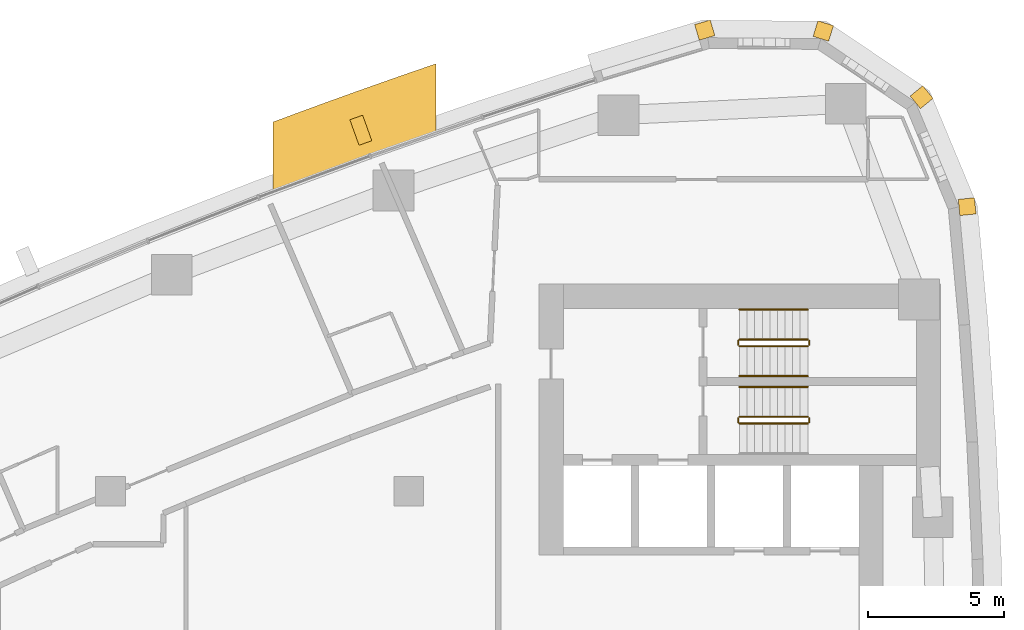
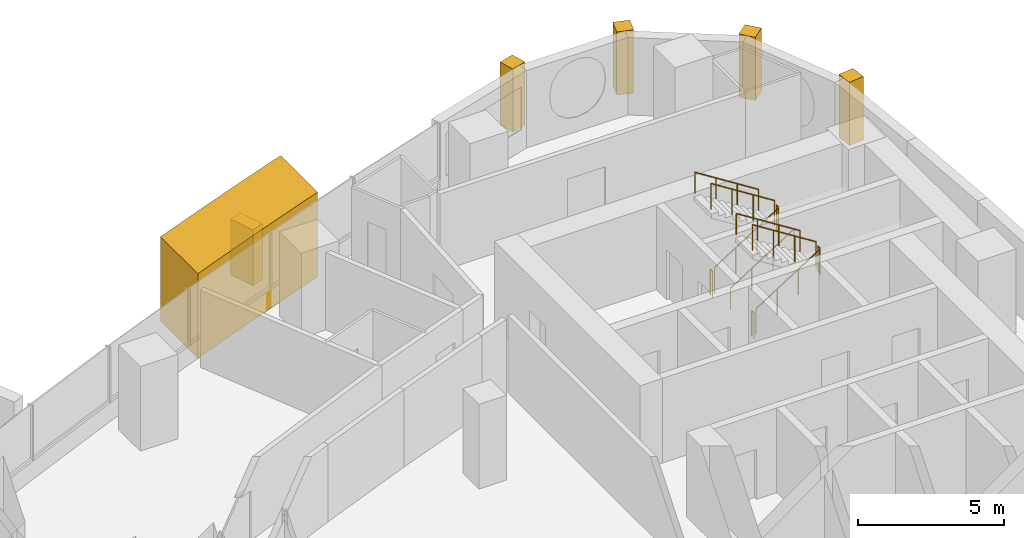
# One storey, part 16 of 16: 11 railings, 6 coverings.
"""IFC4 building model written with IfcOpenShell, lengths in metres."""

from ifc_helpers import new_model, si_unit, direction, frame, frame_2d, origin, origin_2d, place, context, subcontext, project, spatial, polyline, rectangle, circle, outline, extrude, material, layer, layer_set, type_object, element, save


model = new_model("IFC4")

# Units and contexts
model_context = context("Model", 3, precision=1e-05, world=origin(), true_north=direction((0.0, 1.0)))
body_context = subcontext(model_context, "Body", "Model", "MODEL_VIEW")
ifc_project = project(units=[si_unit("LENGTHUNIT", "METRE"), si_unit("AREAUNIT", "SQUARE_METRE"), si_unit("VOLUMEUNIT", "CUBIC_METRE"), si_unit("PLANEANGLEUNIT", "RADIAN"), si_unit("MASSUNIT", "GRAM", prefix="KILO")], contexts=[model_context])

# Site, building, storey
site_placement = place(None, origin())
site = spatial("IfcSite", under=ifc_project, at=site_placement, CompositionType="ELEMENT")
building_placement = place(site_placement, origin())
building = spatial("IfcBuilding", under=site, at=building_placement, Name="Ostrand Prow Hotel Tower", CompositionType="ELEMENT")
storey_placement = place(building_placement, frame((0.0, 0.0, 147.949951171875)))
storey = spatial("IfcBuildingStorey", under=building, at=storey_placement, Name="L36", CompositionType="ELEMENT", Elevation=147.949951171875)

# Coverings
ifc_material_1 = material(Name="Limestone cladding", Category="masonry")
ifc_layer_1 = layer(ifc_material_1, 5.0)
ifc_layer_set_1 = layer_set([ifc_layer_1], Name="Limestone cladding")
covering_type_1 = type_object("IfcCoveringType", Name="Portal jamb pilaster limestone", PredefinedType="CLADDING", material=ifc_layer_set_1)
covering_1_placement = place(storey_placement, origin())
element("IfcCovering", 1, at=covering_1_placement, inside=storey, type_object=covering_type_1, Name="Portal jamb NB L36", PredefinedType="CLADDING", context=body_context, shape_type="SweptSolid", body=[
    extrude(outline(polyline([(40.0, 20.058349609375), (41.0, 20.434326171875), (42.0, 20.804931640625), (43.0, 21.169921875), (44.0, 21.529296875), (45.0, 21.883056640625), (46.0, 22.231689453125), (46.0, 24.769287109375), (45.0, 24.425048828125), (44.0, 24.075439453125), (43.0, 23.720458984375), (42.0, 23.360107421875), (41.0, 22.994140625), (40.0, 22.622802734375), (40.0, 20.058349609375)])), origin(), (0.0, 0.0, 1.0), 3.550048828125),
])
ifc_material_2 = material(Name="Limestone cladding", Category="masonry")
ifc_layer_2 = layer(ifc_material_2, 0.5)
ifc_layer_set_2 = layer_set([ifc_layer_2], Name="Limestone cladding")
covering_type_2 = type_object("IfcCoveringType", Name="Precast stone fin 500x900", PredefinedType="CLADDING", material=ifc_layer_set_2)
covering_2_placement = place(storey_placement, frame((43.402099609375, 21.84619140625, 0.900146484375), z_axis=(0.0, 0.0, 1.0), x_axis=(-0.3378203991, 0.941210591713, 0.0)))
element("IfcCovering", 2, at=covering_2_placement, inside=storey, type_object=covering_type_2, Name="Stone fin N 3", PredefinedType="CLADDING", context=body_context, shape_type="SweptSolid", body=[
    extrude(rectangle(XDim=1.000244140625, YDim=0.5, at=frame_2d((0.5, 0.0))), origin(), (0.0, 0.0, 1.0), 2.349853515625),
])
ifc_material_3 = material(Name="Limestone cladding", Category="masonry")
ifc_layer_3 = layer(ifc_material_3, 0.60009765625)
ifc_layer_set_3 = layer_set([ifc_layer_3], Name="Limestone cladding")
covering_type_3 = type_object("IfcCoveringType", Name="Precast stone prow rib 600x600", PredefinedType="CLADDING", material=ifc_layer_set_3)
covering_3_placement = place(storey_placement, frame((65.296875, 19.467529296875, 0.60009765625), z_axis=(0.0, 0.0, 1.0), x_axis=(0.994854249607, 0.101316445052, 0.0)))
element("IfcCovering", 3, at=covering_3_placement, inside=storey, type_object=covering_type_3, Name="Stone corner rib 14a", PredefinedType="CLADDING", context=body_context, shape_type="SweptSolid", body=[
    extrude(rectangle(XDim=0.60009765625, YDim=0.60009765625, at=frame_2d((0.300048828125, 0.0))), origin(), (0.0, 0.0, 1.0), 2.64990234375),
])
for number, where, z_axis, x_axis, name in (
    (4, (63.68505859375, 23.34521484375, 0.60009765625), (0.0, 0.0, 1.0), (0.773830327772, 0.633392945825, 0.0), "Stone corner rib 15a"),
    (5, (60.201171875, 25.689697265625, 0.60009765625), (0.0, 0.0, 1.0), (0.295515682615, 0.955337888565, 0.0), "Stone corner rib 16a"),
):
    element("IfcCovering", number, at=place(storey_placement, frame(where, z_axis=z_axis, x_axis=x_axis)), inside=storey, type_object=covering_type_3, Name=name, PredefinedType="CLADDING", context=body_context, shape_type="SweptSolid", body=[
        extrude(rectangle(XDim=0.599853515625, YDim=0.60009765625, at=frame_2d((0.2998046875, 0.0))), origin(), (0.0, 0.0, 1.0), 2.64990234375),
    ])
covering_4_placement = place(storey_placement, frame((56.001953125, 25.722412109375, 0.60009765625), z_axis=(0.0, 0.0, 1.0), x_axis=(-0.280734221166, 0.959785547436, 0.0)))
element("IfcCovering", 6, at=covering_4_placement, inside=storey, type_object=covering_type_3, Name="Stone corner rib 16b", PredefinedType="CLADDING", context=body_context, shape_type="SweptSolid", body=[
    extrude(rectangle(XDim=0.60009765625, YDim=0.60009765625, at=frame_2d((0.300048828125, 0.0))), origin(), (0.0, 0.0, 1.0), 2.64990234375),
])

# Railings
ifc_material_4 = material(Name="Painted steel", Category="steel")
railing_type_1 = type_object("IfcRailingType", Name="Stair guard 1100", PredefinedType="GUARDRAIL", material=ifc_material_4)
railing_1_placement = place(storey_placement, frame((57.199951171875, 11.5, 0.177490234375)))
element("IfcRailing", 7, at=railing_1_placement, inside=storey, type_object=railing_type_1, Name="L36 ST1C stair guard 1", PredefinedType="GUARDRAIL", context=body_context, shape_type="SweptSolid", body=[
    extrude(circle(Radius=0.02392578125, at=origin_2d()), frame((0.0, 0.0, 1.076171875), z_axis=(0.84456994832, 0.0, 0.535445237532), x_axis=(0.0, 1.0, 0.0)), (0.0, 0.0, 1.0), 2.98388671875),
    extrude(circle(Radius=0.02099609375, at=origin_2d()), origin(), (0.0, 0.0, 1.0), 1.052001953125),
    extrude(circle(Radius=0.02099609375, at=origin_2d()), frame((0.840087890625, 0.0, 0.532470703125)), (0.0, 0.0, 1.0), 1.052001953125),
    extrude(circle(Radius=0.02099609375, at=origin_2d()), frame((1.679931640625, 0.0, 1.065185546875)), (0.0, 0.0, 1.0), 1.052001953125),
    extrude(circle(Radius=0.02099609375, at=origin_2d()), frame((2.52001953125, 0.0, 1.59765625)), (0.0, 0.0, 1.0), 1.052001953125),
])
railing_2_placement = place(storey_placement, frame((59.77001953125, 11.550048828125, 1.775146484375)))
element("IfcRailing", 8, at=railing_2_placement, inside=storey, type_object=railing_type_1, Name="L36 ST1C stair guard 2", PredefinedType="GUARDRAIL", context=body_context, shape_type="SweptSolid", body=[
    extrude(circle(Radius=0.02392578125, at=origin_2d()), frame((0.0, 0.0, 1.076171875), z_axis=(0.0, 1.0, 0.0), x_axis=(-1.0, 0.0, 0.0)), (0.0, 0.0, 1.0), 0.14990234375),
    extrude(circle(Radius=0.02099609375, at=origin_2d()), origin(), (0.0, 0.0, 1.0), 1.052001953125),
    extrude(circle(Radius=0.02099609375, at=origin_2d()), frame((0.0, 0.14990234375, 0.0)), (0.0, 0.0, 1.0), 1.052001953125),
])
railing_3_placement = place(storey_placement, frame((59.719970703125, 11.75, 1.95263671875)))
element("IfcRailing", 9, at=railing_3_placement, inside=storey, type_object=railing_type_1, Name="L36 ST1C stair guard 3", PredefinedType="GUARDRAIL", context=body_context, shape_type="SweptSolid", body=[
    extrude(circle(Radius=0.02392578125, at=origin_2d()), frame((0.0, 0.0, 1.076171875), z_axis=(-0.84460694969, 0.0, 0.535386869969), x_axis=(0.0, -1.0, 0.0)), (0.0, 0.0, 1.0), 2.983642578125),
    extrude(circle(Radius=0.02099609375, at=origin_2d()), origin(), (0.0, 0.0, 1.0), 1.052001953125),
    extrude(circle(Radius=0.02099609375, at=origin_2d()), frame((-0.840087890625, 0.0, 0.532470703125)), (0.0, 0.0, 1.0), 1.052001953125),
    extrude(circle(Radius=0.02099609375, at=origin_2d()), frame((-1.679931640625, 0.0, 1.06494140625)), (0.0, 0.0, 1.0), 1.052001953125),
    extrude(circle(Radius=0.02099609375, at=origin_2d()), frame((-2.52001953125, 0.0, 1.597412109375)), (0.0, 0.0, 1.0), 1.052001953125),
])
railing_4_placement = place(storey_placement, frame((57.14990234375, 11.550048828125, 0.0)))
element("IfcRailing", 10, at=railing_4_placement, inside=storey, type_object=railing_type_1, Name="L36 ST1C stair guard 4", PredefinedType="GUARDRAIL", context=body_context, shape_type="SweptSolid", body=[
    extrude(circle(Radius=0.02392578125, at=origin_2d()), frame((0.0, 0.0, 1.076171875), z_axis=(0.0, 1.0, 0.0), x_axis=(-1.0, 0.0, 0.0)), (0.0, 0.0, 1.0), 0.14990234375),
    extrude(circle(Radius=0.02099609375, at=origin_2d()), origin(), (0.0, 0.0, 1.0), 1.052001953125),
    extrude(circle(Radius=0.02099609375, at=origin_2d()), frame((0.0, 0.14990234375, 0.0)), (0.0, 0.0, 1.0), 1.052001953125),
])
railing_5_placement = place(storey_placement, frame((57.199951171875, 14.35009765625, 0.177490234375)))
element("IfcRailing", 11, at=railing_5_placement, inside=storey, type_object=railing_type_1, Name="L36 ST3C stair guard 1", PredefinedType="GUARDRAIL", context=body_context, shape_type="SweptSolid", body=[
    extrude(circle(Radius=0.02392578125, at=origin_2d()), frame((0.0, 0.0, 1.076171875), z_axis=(0.84456994832, 0.0, 0.535445237532), x_axis=(0.0, 1.0, 0.0)), (0.0, 0.0, 1.0), 2.98388671875),
    extrude(circle(Radius=0.02099609375, at=origin_2d()), origin(), (0.0, 0.0, 1.0), 1.052001953125),
    extrude(circle(Radius=0.02099609375, at=origin_2d()), frame((0.840087890625, 0.0, 0.532470703125)), (0.0, 0.0, 1.0), 1.052001953125),
    extrude(circle(Radius=0.02099609375, at=origin_2d()), frame((1.679931640625, 0.0, 1.065185546875)), (0.0, 0.0, 1.0), 1.052001953125),
    extrude(circle(Radius=0.02099609375, at=origin_2d()), frame((2.52001953125, 0.0, 1.59765625)), (0.0, 0.0, 1.0), 1.052001953125),
])
railing_6_placement = place(storey_placement, frame((59.77001953125, 14.39990234375, 1.775146484375)))
element("IfcRailing", 12, at=railing_6_placement, inside=storey, type_object=railing_type_1, Name="L36 ST3C stair guard 2", PredefinedType="GUARDRAIL", context=body_context, shape_type="SweptSolid", body=[
    extrude(circle(Radius=0.02392578125, at=origin_2d()), frame((0.0, 0.0, 1.076171875), z_axis=(0.0, 1.0, 0.0), x_axis=(-1.0, 0.0, 0.0)), (0.0, 0.0, 1.0), 0.150146484375),
    extrude(circle(Radius=0.02099609375, at=origin_2d()), origin(), (0.0, 0.0, 1.0), 1.052001953125),
    extrude(circle(Radius=0.02099609375, at=origin_2d()), frame((0.0, 0.150146484375, 0.0)), (0.0, 0.0, 1.0), 1.052001953125),
])
railing_7_placement = place(storey_placement, frame((59.719970703125, 14.60009765625, 1.95263671875)))
element("IfcRailing", 13, at=railing_7_placement, inside=storey, type_object=railing_type_1, Name="L36 ST3C stair guard 3", PredefinedType="GUARDRAIL", context=body_context, shape_type="SweptSolid", body=[
    extrude(circle(Radius=0.02392578125, at=origin_2d()), frame((0.0, 0.0, 1.076171875), z_axis=(-0.84460694969, 0.0, 0.535386869969), x_axis=(0.0, -1.0, 0.0)), (0.0, 0.0, 1.0), 2.983642578125),
    extrude(circle(Radius=0.02099609375, at=origin_2d()), origin(), (0.0, 0.0, 1.0), 1.052001953125),
    extrude(circle(Radius=0.02099609375, at=origin_2d()), frame((-0.840087890625, 0.0, 0.532470703125)), (0.0, 0.0, 1.0), 1.052001953125),
    extrude(circle(Radius=0.02099609375, at=origin_2d()), frame((-1.679931640625, 0.0, 1.06494140625)), (0.0, 0.0, 1.0), 1.052001953125),
    extrude(circle(Radius=0.02099609375, at=origin_2d()), frame((-2.52001953125, 0.0, 1.597412109375)), (0.0, 0.0, 1.0), 1.052001953125),
])
railing_8_placement = place(storey_placement, frame((57.14990234375, 14.39990234375, 0.0)))
element("IfcRailing", 14, at=railing_8_placement, inside=storey, type_object=railing_type_1, Name="L36 ST3C stair guard 4", PredefinedType="GUARDRAIL", context=body_context, shape_type="SweptSolid", body=[
    extrude(circle(Radius=0.02392578125, at=origin_2d()), frame((0.0, 0.0, 1.076171875), z_axis=(0.0, 1.0, 0.0), x_axis=(-1.0, 0.0, 0.0)), (0.0, 0.0, 1.0), 0.150146484375),
    extrude(circle(Radius=0.02099609375, at=origin_2d()), origin(), (0.0, 0.0, 1.0), 1.052001953125),
    extrude(circle(Radius=0.02099609375, at=origin_2d()), frame((0.0, 0.150146484375, 0.0)), (0.0, 0.0, 1.0), 1.052001953125),
])
ifc_material_5 = material(Name="Stainless steel", Category="steel")
railing_type_2 = type_object("IfcRailingType", Name="Stair handrail 900", PredefinedType="HANDRAIL", material=ifc_material_5)
railing_9_placement = place(storey_placement, frame((59.719970703125, 12.85009765625, 1.95263671875)))
element("IfcRailing", 15, at=railing_9_placement, inside=storey, type_object=railing_type_2, Name="L36 ST1C stair handrail 2", PredefinedType="HANDRAIL", context=body_context, shape_type="SweptSolid", body=[
    extrude(circle(Radius=0.02392578125, at=origin_2d()), frame((0.0, 0.0, 0.8759765625), z_axis=(-0.84460694969, 0.0, 0.535386869969), x_axis=(0.0, -1.0, 0.0)), (0.0, 0.0, 1.0), 2.983642578125),
    extrude(circle(Radius=0.02099609375, at=origin_2d()), origin(), (0.0, 0.0, 1.0), 0.851806640625),
    extrude(circle(Radius=0.02099609375, at=origin_2d()), frame((-0.840087890625, 0.0, 0.532470703125)), (0.0, 0.0, 1.0), 0.851806640625),
    extrude(circle(Radius=0.02099609375, at=origin_2d()), frame((-1.679931640625, 0.0, 1.06494140625)), (0.0, 0.0, 1.0), 0.851806640625),
    extrude(circle(Radius=0.02099609375, at=origin_2d()), frame((-2.52001953125, 0.0, 1.597412109375)), (0.0, 0.0, 1.0), 0.851806640625),
])
railing_10_placement = place(storey_placement, frame((57.199951171875, 13.25, 0.177490234375)))
element("IfcRailing", 16, at=railing_10_placement, inside=storey, type_object=railing_type_2, Name="L36 ST3C stair handrail 1", PredefinedType="HANDRAIL", context=body_context, shape_type="SweptSolid", body=[
    extrude(circle(Radius=0.02392578125, at=origin_2d()), frame((0.0, 0.0, 0.8759765625), z_axis=(0.84456994832, 0.0, 0.535445237532), x_axis=(0.0, 1.0, 0.0)), (0.0, 0.0, 1.0), 2.98388671875),
    extrude(circle(Radius=0.02099609375, at=origin_2d()), origin(), (0.0, 0.0, 1.0), 0.851806640625),
    extrude(circle(Radius=0.02099609375, at=origin_2d()), frame((0.840087890625, 0.0, 0.532470703125)), (0.0, 0.0, 1.0), 0.851806640625),
    extrude(circle(Radius=0.02099609375, at=origin_2d()), frame((1.679931640625, 0.0, 1.065185546875)), (0.0, 0.0, 1.0), 0.851806640625),
    extrude(circle(Radius=0.02099609375, at=origin_2d()), frame((2.52001953125, 0.0, 1.59765625)), (0.0, 0.0, 1.0), 0.851806640625),
])
railing_11_placement = place(storey_placement, frame((59.719970703125, 15.699951171875, 1.95263671875)))
element("IfcRailing", 17, at=railing_11_placement, inside=storey, type_object=railing_type_2, Name="L36 ST3C stair handrail 2", PredefinedType="HANDRAIL", context=body_context, shape_type="SweptSolid", body=[
    extrude(circle(Radius=0.02392578125, at=origin_2d()), frame((0.0, 0.0, 0.8759765625), z_axis=(-0.84460694969, 0.0, 0.535386869969), x_axis=(0.0, -1.0, 0.0)), (0.0, 0.0, 1.0), 2.983642578125),
    extrude(circle(Radius=0.02099609375, at=origin_2d()), origin(), (0.0, 0.0, 1.0), 0.851806640625),
    extrude(circle(Radius=0.02099609375, at=origin_2d()), frame((-0.840087890625, 0.0, 0.532470703125)), (0.0, 0.0, 1.0), 0.851806640625),
    extrude(circle(Radius=0.02099609375, at=origin_2d()), frame((-1.679931640625, 0.0, 1.06494140625)), (0.0, 0.0, 1.0), 0.851806640625),
    extrude(circle(Radius=0.02099609375, at=origin_2d()), frame((-2.52001953125, 0.0, 1.597412109375)), (0.0, 0.0, 1.0), 0.851806640625),
])

save(model, "model.ifc")
